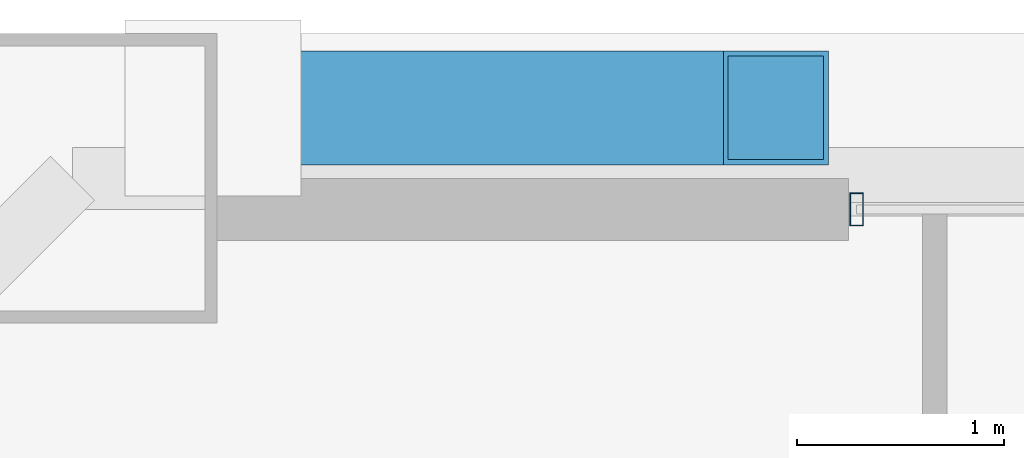
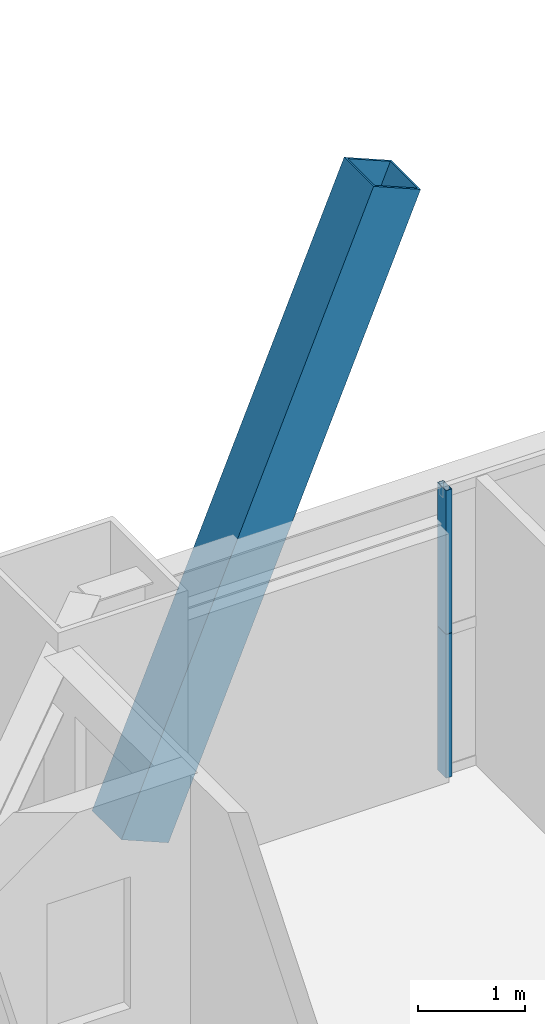
# One storey, part 32 of 45: 3 members, 1 element without a shape of its own.
"""IFC4 building model written with IfcOpenShell, lengths in metres."""

import ifcopenshell
import ifcopenshell.guid

model = None  # the IFC model being written
_history = None  # IfcOwnerHistory: only IFC2X3 demands one
_inside = {}  # id of a spatial element -> (the spatial element, [elements in it])
_under = {}  # id of a project, library or spatial element -> (it, [spatial elements below it])
_declared = {}  # id of a project -> (the project, [libraries it declares])
_typed = {}  # id of a type object -> (the type object, [elements of that type])
_made_of = {}  # id of a material, layer set ... -> (it, [elements and type objects made of it])


def new_model(schema):
    """Start an empty IFC model of exactly this schema.

    Asked for "IFC4X3", IfcOpenShell would pick the latest addendum, in which some entities
    have other attributes; the version numbers below select the first issue.
    IFC2X3 requires an IfcOwnerHistory on every rooted entity: one is made here for all.
    """
    global model, _history
    if schema == "IFC4X3":
        model = ifcopenshell.file(schema_version=(4, 3, 0, 0))
    else:
        model = ifcopenshell.file(schema=schema)
    _inside.clear()
    _under.clear()
    _declared.clear()
    _typed.clear()
    _made_of.clear()
    _history = None
    if model.schema == "IFC2X3":
        org = make("IfcOrganization", Name="unknown")
        user = make(
            "IfcPersonAndOrganization",
            ThePerson=make("IfcPerson", FamilyName="unknown"),
            TheOrganization=org,
        )
        app = make(
            "IfcApplication",
            ApplicationDeveloper=org,
            Version="unknown",
            ApplicationFullName="unknown",
            ApplicationIdentifier="unknown",
        )
        _history = make(
            "IfcOwnerHistory",
            OwningUser=user,
            OwningApplication=app,
            ChangeAction="ADDED",
            CreationDate=0,
        )
    return model


def make(cls, **values):
    """One entity of the class cls with the attributes given. An attribute that is None is left unset."""
    return model.create_entity(
        cls, **{name: value for name, value in values.items() if value is not None}
    )


def rooted(cls, **values):
    """An entity with a GlobalId (a new one), such as an element, a storey or a relation."""
    return make(cls, GlobalId=ifcopenshell.guid.new(), OwnerHistory=_history, **values)


def si_unit(unit_type, name, prefix=None):
    """IfcSIUnit, for example si_unit("LENGTHUNIT", "METRE", prefix="MILLI")."""
    return make("IfcSIUnit", UnitType=unit_type, Prefix=prefix, Name=name)


def assignment(units):
    """IfcUnitAssignment: the units of a project."""
    return None if units is None else make("IfcUnitAssignment", Units=units)


def point(xyz):
    """IfcCartesianPoint."""
    return None if xyz is None else make("IfcCartesianPoint", Coordinates=xyz)


def direction(xyz):
    """IfcDirection."""
    return None if xyz is None else make("IfcDirection", DirectionRatios=xyz)


def frame(location, z_axis=None, x_axis=None):
    """IfcAxis2Placement3D, a coordinate frame: its origin and axes. An axis left out is left unset."""
    return make(
        "IfcAxis2Placement3D",
        Location=point(location),
        Axis=direction(z_axis),
        RefDirection=direction(x_axis),
    )


def frame_2d(location, x_axis=None):
    """IfcAxis2Placement2D, a coordinate frame in the plane: its origin and x axis."""
    return make(
        "IfcAxis2Placement2D", Location=point(location), RefDirection=direction(x_axis)
    )


def origin():
    """The frame at (0, 0, 0) with its axes left unset."""
    return frame((0.0, 0.0, 0.0))


def origin_2d():
    """The frame at (0, 0) in the plane with its x axis left unset."""
    return frame_2d((0.0, 0.0))


def place(relative_to, where):
    """IfcLocalPlacement: puts the frame where relative to a parent placement (None: the world)."""
    return make(
        "IfcLocalPlacement", PlacementRelTo=relative_to, RelativePlacement=where
    )


def context(
    kind, dimensions, precision=None, world=None, true_north=None, identifier=None
):
    """IfcGeometricRepresentationContext, for example the 3D "Model" context."""
    return make(
        "IfcGeometricRepresentationContext",
        ContextIdentifier=identifier,
        ContextType=kind,
        CoordinateSpaceDimension=dimensions,
        Precision=precision,
        WorldCoordinateSystem=world,
        TrueNorth=true_north,
    )


def subcontext(parent, identifier, kind, view, scale=None):
    """IfcGeometricRepresentationSubContext, for example "Body" below "Model"."""
    return make(
        "IfcGeometricRepresentationSubContext",
        ContextIdentifier=identifier,
        ContextType=kind,
        ParentContext=parent,
        TargetScale=scale,
        TargetView=view,
    )


def project(units=None, contexts=None):
    """IfcProject with its units and contexts."""
    return rooted(
        "IfcProject",
        Name="project",
        RepresentationContexts=contexts,
        UnitsInContext=assignment(units),
    )


def spatial(cls, under=None, at=None, **own):
    """A site, building, storey or space (cls), placed at a placement, below another one or the project."""
    s = rooted(cls, ObjectPlacement=at, **own)
    if under is not None:
        _under.setdefault(under.id(), (under, []))[1].append(s)
    return s


def profile(cls, at=None, kind="AREA", **sizes):
    """A parametric profile (cls). Its sizes go by their IFC names, for example OverallWidth=200.0."""
    return make(cls, ProfileType=kind, Position=at, **sizes)


def hollow_rectangle(**sizes):
    """IfcRectangleHollowProfileDef."""
    return profile("IfcRectangleHollowProfileDef", **sizes)


def extrude(swept, where, along, depth):
    """IfcExtrudedAreaSolid: the profile swept, set in the frame where, extruded along a direction by depth."""
    return make(
        "IfcExtrudedAreaSolid",
        SweptArea=swept,
        Position=where,
        ExtrudedDirection=direction(along),
        Depth=depth,
    )


def shape(context_of_items, identifier, shape_type, items):
    """IfcShapeRepresentation: the items that make up one representation, for example the "Body"."""
    return make(
        "IfcShapeRepresentation",
        ContextOfItems=context_of_items,
        RepresentationIdentifier=identifier,
        RepresentationType=shape_type,
        Items=items,
    )


def source(mapping_origin, context_of_items, identifier, shape_type, items):
    """IfcRepresentationMap: a shape defined once, which mapped items show again and again."""
    return make(
        "IfcRepresentationMap",
        MappingOrigin=mapping_origin,
        MappedRepresentation=shape(context_of_items, identifier, shape_type, items),
    )


def transform(
    local_origin,
    x_axis=None,
    y_axis=None,
    z_axis=None,
    scale=None,
    scale2=None,
    scale3=None,
    uniform=True,
):
    """IfcCartesianTransformationOperator3D, or its non-uniform kind. x_axis, y_axis, z_axis: its Axis1, 2, 3."""
    if uniform:
        return make(
            "IfcCartesianTransformationOperator3D",
            Axis1=direction(x_axis),
            Axis2=direction(y_axis),
            LocalOrigin=point(local_origin),
            Scale=scale,
            Axis3=direction(z_axis),
        )
    return make(
        "IfcCartesianTransformationOperator3DnonUniform",
        Axis1=direction(x_axis),
        Axis2=direction(y_axis),
        LocalOrigin=point(local_origin),
        Scale=scale,
        Axis3=direction(z_axis),
        Scale2=scale2,
        Scale3=scale3,
    )


def mapped(mapping_source, mapping_target):
    """IfcMappedItem: shows the shape of a source again, moved by a transform."""
    return make(
        "IfcMappedItem", MappingSource=mapping_source, MappingTarget=mapping_target
    )


def material(Name=None, Category=None):
    """IfcMaterial."""
    return make("IfcMaterial", Name=Name, Category=Category)


def layer(
    of_material, thickness, ventilated=None, Name=None, Category=None, Priority=None
):
    """IfcMaterialLayer: one layer of a wall or slab, of a material (None: an air gap)."""
    return make(
        "IfcMaterialLayer",
        Material=of_material,
        LayerThickness=thickness,
        IsVentilated=ventilated,
        Name=Name,
        Category=Category,
        Priority=Priority,
    )


def layer_set(layers, Name=None):
    """IfcMaterialLayerSet."""
    return make("IfcMaterialLayerSet", MaterialLayers=layers, LayerSetName=Name)


def material_profile(
    of_material, cross_section, Name=None, Category=None, Priority=None
):
    """IfcMaterialProfile: a cross section and its material."""
    return make(
        "IfcMaterialProfile",
        Name=Name,
        Material=of_material,
        Profile=cross_section,
        Priority=Priority,
        Category=Category,
    )


def profile_set(profiles, Name=None, composite=None):
    """IfcMaterialProfileSet."""
    return make(
        "IfcMaterialProfileSet",
        Name=Name,
        MaterialProfiles=profiles,
        CompositeProfile=composite,
    )


def made_of(thing, what):
    """Note that an element or type object is made of a material, layer set ...; save() writes the relation."""
    if what is not None:
        _made_of.setdefault(what.id(), (what, []))[1].append(thing)
    return thing


def type_object(cls, material=None, **own):
    """A type object (cls), such as IfcWallType, which elements share."""
    return made_of(rooted(cls, **own), material)


def element(
    cls,
    number,
    at=None,
    inside=None,
    cuts=None,
    type_object=None,
    material=None,
    context=None,
    identifier="Body",
    shape_type=None,
    held_by="IfcProductDefinitionShape",
    body=None,
    shapes=None,
    **own,
):
    """One element of the class cls, such as IfcWall. Its Tag is "e" and its number.

    at: its placement. inside: the storey or other place that contains it. cuts: it is an
    opening in that element (IfcRelVoidsElement). A single representation is given by context,
    identifier, shape_type and body (its items); several are given by shapes. held_by: the class
    of the entity that holds the representations. save() writes the other relations.
    """
    e = rooted(cls, Tag="e%d" % number, ObjectPlacement=at, **own)
    if body is not None:
        shapes = [shape(context, identifier, shape_type, body)]
    if shapes is not None:
        e.Representation = make(held_by, Representations=shapes)
    if inside is not None:
        _inside.setdefault(inside.id(), (inside, []))[1].append(e)
    if cuts is not None:
        rooted(
            "IfcRelVoidsElement", RelatingBuildingElement=cuts, RelatedOpeningElement=e
        )
    if type_object is not None:
        _typed.setdefault(type_object.id(), (type_object, []))[1].append(e)
    return made_of(e, material)


def aggregate(whole, parts):
    """IfcRelAggregates: a whole, such as a stair, and the parts it consists of."""
    return rooted("IfcRelAggregates", RelatingObject=whole, RelatedObjects=parts)


def save(model, path):
    """Write the relations noted so far, then the file.

    IfcRelAggregates (storeys below a building ...), IfcRelContainedInSpatialStructure (elements
    in a storey), IfcRelDefinesByType, IfcRelAssociatesMaterial and IfcRelDeclares: one each for
    every whole, place, type object, material and project.
    """
    for whole, parts in _under.values():
        aggregate(whole, parts)
    for where, things in _inside.values():
        rooted(
            "IfcRelContainedInSpatialStructure",
            RelatedElements=things,
            RelatingStructure=where,
        )
    for kind, things in _typed.values():
        rooted("IfcRelDefinesByType", RelatedObjects=things, RelatingType=kind)
    for what, things in _made_of.values():
        rooted("IfcRelAssociatesMaterial", RelatedObjects=things, RelatingMaterial=what)
    for by, libraries in _declared.values():
        rooted("IfcRelDeclares", RelatingContext=by, RelatedDefinitions=libraries)
    model.write(path)


model = new_model("IFC4")

# Units and contexts
model_context = context("Model", 3, precision=1e-05, world=origin(), true_north=direction((0.0, 1.0)))
body_context = subcontext(model_context, "Body", "Model", "MODEL_VIEW")
ifc_project = project(units=[si_unit("LENGTHUNIT", "METRE"), si_unit("AREAUNIT", "SQUARE_METRE"), si_unit("VOLUMEUNIT", "CUBIC_METRE"), si_unit("PLANEANGLEUNIT", "RADIAN"), si_unit("MASSUNIT", "GRAM", prefix="KILO"), si_unit("THERMODYNAMICTEMPERATUREUNIT", "KELVIN"), si_unit("POWERUNIT", "WATT")], contexts=[model_context])

# Site, building, storey
site_placement = place(None, origin())
site = spatial("IfcSite", under=ifc_project, at=site_placement, CompositionType="ELEMENT")
building_placement = place(site_placement, origin())
building = spatial("IfcBuilding", under=site, at=building_placement, Name="Yuzanri Waterfront Tower", CompositionType="ELEMENT")
storey_placement = place(building_placement, frame((0.0, 0.0, 212.5)))
storey = spatial("IfcBuildingStorey", under=building, at=storey_placement, Name="L56", CompositionType="ELEMENT", Elevation=212.5)

# Member
ifc_material_1 = material(Name="Steel Q390GJC", Category="steel")
ifc_material_profile_1 = material_profile(ifc_material_1, hollow_rectangle(XDim=0.550048828125, YDim=0.550048828125, WallThickness=0.02490234375, at=origin_2d()), Name="RHS 550x550x25")
ifc_profile_set_1 = profile_set([ifc_material_profile_1], Name="Steel Q390GJC")
member_type_1 = type_object("IfcMemberType", Name="Mega Brace Mid Q390GJC RHS 550x550x25", PredefinedType="BRACE", material=ifc_profile_set_1)
shared_shape_1 = source(origin(), body_context, "Body", "SweptSolid", [
    extrude(hollow_rectangle(XDim=0.550048828125, YDim=0.550048828125, WallThickness=0.02490234375, at=origin_2d()), origin(), (0.0, 0.0, 1.0), 7.046142578125),
])
member_1_placement = place(storey_placement, frame((19.179931640625, 48.239990234375, 0.179931640625), z_axis=(0.386022211732, 0.0, 0.922489486146), x_axis=(0.0, 1.0, 0.0)))
element("IfcMember", 1, at=member_1_placement, inside=storey, type_object=member_type_1, Name="L56-L57 Perimeter Mega-Brace N-L", PredefinedType="BRACE", context=body_context, shape_type="MappedRepresentation", body=[
    mapped(shared_shape_1, transform((0.0, 0.0, 0.0), scale=1.0)),
])

# Curtain wall, members
ifc_material_2 = material(Name="Anodized Architectural Bronze", Category="metal")
ifc_layer = layer(ifc_material_2, 0.159912109375)
ifc_layer_set = layer_set([ifc_layer], Name="Anodized Architectural Bronze")
curtain_wall_type = type_object("IfcCurtainWallType", Name="Anodized Bronze Mid-Rise Residential Acoustic Unitized Curtain Wall 7200", PredefinedType="NOTDEFINED", material=ifc_layer_set)
curtain_wall_placement = place(storey_placement, origin())
curtain_wall = element("IfcCurtainWall", 2, at=curtain_wall_placement, inside=storey, type_object=curtain_wall_type, Name="L56 Curtain Wall CW-L56-NL", PredefinedType="NOTDEFINED")
ifc_material_3 = material(Name="Anodized Architectural Bronze", Category="metal")
ifc_material_profile_2 = material_profile(ifc_material_3, hollow_rectangle(XDim=0.06494140625, YDim=0.159912109375, WallThickness=0.00341796875, at=origin_2d()), Name="CWM 65x160")
ifc_profile_set_2 = profile_set([ifc_material_profile_2], Name="Anodized Architectural Bronze")
member_type_2 = type_object("IfcMemberType", Name="Anodized Bronze Upper-Zone Curtain-Wall Mullion 65x160", PredefinedType="MULLION", material=ifc_profile_set_2)
shared_shape_2 = source(origin(), body_context, "Body", "SweptSolid", [
    extrude(hollow_rectangle(XDim=0.06494140625, YDim=0.159912109375, WallThickness=0.00341796875, at=origin_2d()), origin(), (0.0, 0.0, 1.0), 1.637939453125),
])
member_2_placement = place(storey_placement, frame((22.2900390625, 47.75, 0.0), z_axis=(0.0, 0.0, 1.0), x_axis=(1.0, 0.0, 0.0)))
member_2 = element("IfcMember", 3, at=member_2_placement, type_object=member_type_2, Name="CW-L56-NL Lower Mullion 00", PredefinedType="MULLION", context=body_context, shape_type="MappedRepresentation", body=[
    mapped(shared_shape_2, transform((0.0, 0.0, 0.0), scale=1.0)),
])
member_3_placement = place(storey_placement, frame((22.2900390625, 47.75, 1.64208984375), z_axis=(0.0, 0.0, 1.0), x_axis=(1.0, 0.0, 0.0)))
member_3 = element("IfcMember", 4, at=member_3_placement, type_object=member_type_2, Name="CW-L56-NL Upper Mullion 00", PredefinedType="MULLION", context=body_context, shape_type="MappedRepresentation", body=[
    mapped(shared_shape_2, transform((0.0, 0.0, 0.0), scale=1.0)),
])
aggregate(curtain_wall, [member_2, member_3])

save(model, "model.ifc")
